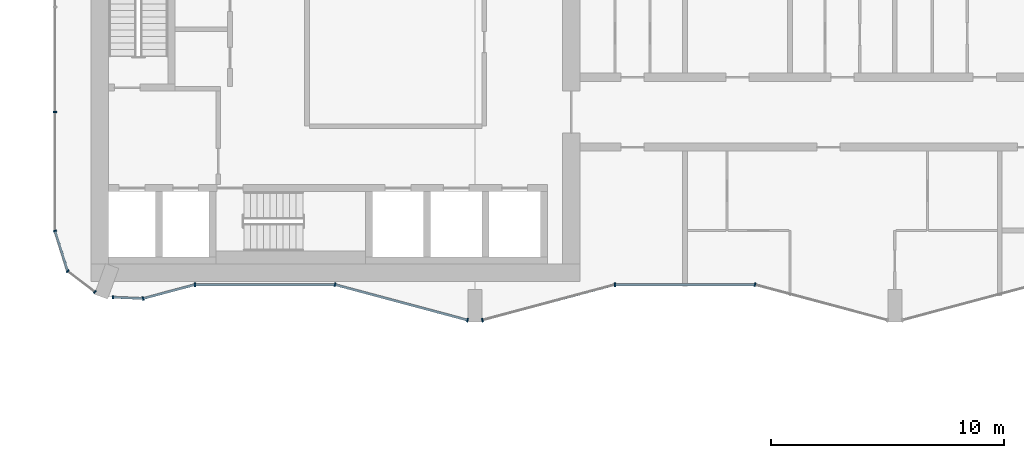
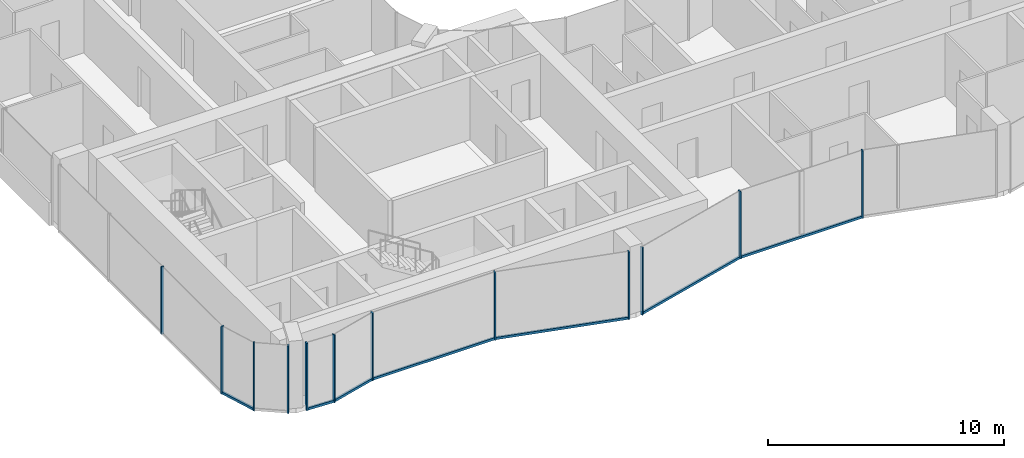
# One storey, part 2 of 24: 19 members, 10 elements without a shape of their own.
"""IFC4 building model written with IfcOpenShell, lengths in metres."""

from ifc_helpers import new_model, si_unit, direction, frame, origin, origin_2d, place, context, subcontext, project, spatial, rectangle, extrude, material, layer, layer_set, material_profile, profile_set, type_object, element, aggregate, save


model = new_model("IFC4")

# Units and contexts
model_context = context("Model", 3, precision=1e-05, world=origin(), true_north=direction((0.0, 1.0)))
body_context = subcontext(model_context, "Body", "Model", "MODEL_VIEW")
ifc_project = project(units=[si_unit("LENGTHUNIT", "METRE"), si_unit("AREAUNIT", "SQUARE_METRE"), si_unit("VOLUMEUNIT", "CUBIC_METRE"), si_unit("PLANEANGLEUNIT", "RADIAN"), si_unit("MASSUNIT", "GRAM", prefix="KILO")], contexts=[model_context])

# Site, building, storey
site_placement = place(None, origin())
site = spatial("IfcSite", under=ifc_project, at=site_placement, CompositionType="ELEMENT")
building_placement = place(site_placement, origin())
building = spatial("IfcBuilding", under=site, at=building_placement, Name="Plateau Cross Towers", CompositionType="ELEMENT")
storey_placement = place(building_placement, frame((0.0, 0.0, 44.300048828125)))
storey = spatial("IfcBuildingStorey", under=building, at=storey_placement, Name="L10", CompositionType="ELEMENT", Elevation=44.300048828125)

# Curtain wall, member
ifc_material_1 = material(Name="Dark low-iron glass", Category="glass")
ifc_layer_1 = layer(ifc_material_1, 0.239990234375)
ifc_layer_set_1 = layer_set([ifc_layer_1], Name="Dark low-iron glass")
curtain_wall_type_1 = type_object("IfcCurtainWallType", Name="Curtain wall flush unitised CW-B", PredefinedType="NOTDEFINED", material=ifc_layer_set_1)
curtain_wall_1_placement = place(storey_placement, origin())
curtain_wall_1 = element("IfcCurtainWall", 1, at=curtain_wall_1_placement, inside=storey, type_object=curtain_wall_type_1, Name="ENV/A/L10/A0_177", PredefinedType="NOTDEFINED")
ifc_material_2 = material(Name="Black anodised aluminium", Category="aluminium")
ifc_material_profile_1 = material_profile(ifc_material_2, rectangle(XDim=0.06005859375, YDim=0.139892578125, at=origin_2d()), Name="MULLION 60x140")
ifc_profile_set_1 = profile_set([ifc_material_profile_1], Name="Black anodised aluminium")
member_type_1 = type_object("IfcMemberType", Name="Mullion 60x140 flush unitised", PredefinedType="MULLION", material=ifc_profile_set_1)
member_1_placement = place(storey_placement, frame((0.0, 9.0, -0.25), z_axis=(0.0, 0.0, 1.0), x_axis=(0.0, -1.0, 0.0)))
member_1 = element("IfcMember", 2, at=member_1_placement, type_object=member_type_1, Name="CW-B mullion 3", PredefinedType="MULLION", context=body_context, shape_type="SweptSolid", body=[
    extrude(rectangle(XDim=0.06005859375, YDim=0.139892578125, at=origin_2d()), origin(), (0.0, 0.0, 1.0), 3.5),
])
aggregate(curtain_wall_1, [member_1])

curtain_wall_2_placement = place(storey_placement, origin())
curtain_wall_2 = element("IfcCurtainWall", 3, at=curtain_wall_2_placement, inside=storey, type_object=curtain_wall_type_1, Name="ENV/A/L10/A0_39", PredefinedType="NOTDEFINED")
member_2_placement = place(storey_placement, frame((0.0, 3.9091796875, -0.25), z_axis=(0.0, 0.0, 1.0), x_axis=(0.300686174994, -0.95372313811, 0.0)))
member_2 = element("IfcMember", 4, at=member_2_placement, type_object=member_type_1, Name="CW-B mullion 1", PredefinedType="MULLION", context=body_context, shape_type="SweptSolid", body=[
    extrude(rectangle(XDim=0.06005859375, YDim=0.139892578125, at=origin_2d()), origin(), (0.0, 0.0, 1.0), 3.5),
])

# Curtain wall, members
curtain_wall_3_placement = place(storey_placement, origin())
curtain_wall_3 = element("IfcCurtainWall", 5, at=curtain_wall_3_placement, inside=storey, type_object=curtain_wall_type_1, Name="ENV/A/L10/A5_22", PredefinedType="NOTDEFINED")
member_3_placement = place(storey_placement, frame((0.54248046875, 2.1884765625, -0.25), z_axis=(0.0, 0.0, 1.0), x_axis=(0.793315514529, -0.608810721331, 0.0)))
member_3 = element("IfcMember", 6, at=member_3_placement, type_object=member_type_1, Name="CW-B mullion 1", PredefinedType="MULLION", context=body_context, shape_type="SweptSolid", body=[
    extrude(rectangle(XDim=0.06005859375, YDim=0.139892578125, at=origin_2d()), origin(), (0.0, 0.0, 1.0), 3.5),
])
member_4_placement = place(storey_placement, frame((1.709716796875, 1.292724609375, -0.25), z_axis=(0.0, 0.0, 1.0), x_axis=(0.793315514529, -0.608810721331, 0.0)))
member_4 = element("IfcMember", 7, at=member_4_placement, type_object=member_type_1, Name="CW-B mullion 2", PredefinedType="MULLION", context=body_context, shape_type="SweptSolid", body=[
    extrude(rectangle(XDim=0.06005859375, YDim=0.139892578125, at=origin_2d()), origin(), (0.0, 0.0, 1.0), 3.5),
])
aggregate(curtain_wall_3, [member_3, member_4])

# Curtain wall, member
curtain_wall_4_placement = place(storey_placement, origin())
curtain_wall_4 = element("IfcCurtainWall", 8, at=curtain_wall_4_placement, inside=storey, type_object=curtain_wall_type_1, Name="ENV/A/L10/A25_11", PredefinedType="NOTDEFINED")
member_5_placement = place(storey_placement, frame((2.483642578125, 1.06787109375, -0.25), z_axis=(0.0, 0.0, 1.0), x_axis=(0.999043701491, -0.043722791671, 0.0)))
member_5 = element("IfcMember", 9, at=member_5_placement, type_object=member_type_1, Name="CW-B mullion 1", PredefinedType="MULLION", context=body_context, shape_type="SweptSolid", body=[
    extrude(rectangle(XDim=0.06005859375, YDim=0.139892578125, at=origin_2d()), origin(), (0.0, 0.0, 1.0), 3.5),
])

ifc_layer_2 = layer(ifc_material_1, 0.260009765625)
ifc_layer_set_2 = layer_set([ifc_layer_2], Name="Dark low-iron glass")
curtain_wall_type_2 = type_object("IfcCurtainWallType", Name="Curtain wall fluted unitised CW-A", PredefinedType="NOTDEFINED", material=ifc_layer_set_2)
curtain_wall_5_placement = place(storey_placement, origin())
curtain_wall_5 = element("IfcCurtainWall", 10, at=curtain_wall_5_placement, inside=storey, type_object=curtain_wall_type_2, Name="ENV/A/L10/A38_10", PredefinedType="NOTDEFINED")
ifc_material_profile_2 = material_profile(ifc_material_2, rectangle(XDim=0.06005859375, YDim=0.159912109375, at=origin_2d()), Name="MULLION 60x160")
ifc_profile_set_2 = profile_set([ifc_material_profile_2], Name="Black anodised aluminium")
member_type_2 = type_object("IfcMemberType", Name="Mullion 60x160 fluted unitised", PredefinedType="MULLION", material=ifc_profile_set_2)
member_6_placement = place(storey_placement, frame((3.776123046875, 1.01123046875, -0.25), z_axis=(0.0, 0.0, 1.0), x_axis=(0.965957962328, 0.258699081978, 0.0)))
member_6 = element("IfcMember", 11, at=member_6_placement, type_object=member_type_2, Name="CW-A mullion 1", PredefinedType="MULLION", context=body_context, shape_type="SweptSolid", body=[
    extrude(rectangle(XDim=0.06005859375, YDim=0.159912109375, at=origin_2d()), origin(), (0.0, 0.0, 1.0), 3.5),
])

curtain_wall_6_placement = place(storey_placement, origin())
curtain_wall_6 = element("IfcCurtainWall", 12, at=curtain_wall_6_placement, inside=storey, type_object=curtain_wall_type_2, Name="ENV/A/L10/A60_16", PredefinedType="NOTDEFINED")
member_7_placement = place(storey_placement, frame((6.0, 1.60693359375, -0.25), z_axis=(0.0, 0.0, 1.0), x_axis=(1.0, 0.0, 0.0)))
member_7 = element("IfcMember", 13, at=member_7_placement, type_object=member_type_2, Name="CW-A mullion 1", PredefinedType="MULLION", context=body_context, shape_type="SweptSolid", body=[
    extrude(rectangle(XDim=0.06005859375, YDim=0.159912109375, at=origin_2d()), origin(), (0.0, 0.0, 1.0), 3.5),
])

# Curtain wall, members
curtain_wall_7_placement = place(storey_placement, origin())
curtain_wall_7 = element("IfcCurtainWall", 14, at=curtain_wall_7_placement, inside=storey, type_object=curtain_wall_type_2, Name="ENV/A/L10/A120_16", PredefinedType="NOTDEFINED")
member_8_placement = place(storey_placement, frame((12.0, 1.60693359375, -0.25), z_axis=(0.0, 0.0, 1.0), x_axis=(0.965957983404, -0.258699003279, 0.0)))
member_8 = element("IfcMember", 15, at=member_8_placement, type_object=member_type_2, Name="CW-A mullion 1", PredefinedType="MULLION", context=body_context, shape_type="SweptSolid", body=[
    extrude(rectangle(XDim=0.06005859375, YDim=0.159912109375, at=origin_2d()), origin(), (0.0, 0.0, 1.0), 3.5),
])
member_9_placement = place(storey_placement, frame((17.68212890625, 0.085205078125, -0.25), z_axis=(0.0, 0.0, 1.0), x_axis=(0.965957983404, -0.258699003279, 0.0)))
member_9 = element("IfcMember", 16, at=member_9_placement, type_object=member_type_2, Name="CW-A mullion 2", PredefinedType="MULLION", context=body_context, shape_type="SweptSolid", body=[
    extrude(rectangle(XDim=0.06005859375, YDim=0.159912109375, at=origin_2d()), origin(), (0.0, 0.0, 1.0), 3.5),
])

# Curtain wall, member
curtain_wall_8_placement = place(storey_placement, origin())
curtain_wall_8 = element("IfcCurtainWall", 17, at=curtain_wall_8_placement, inside=storey, type_object=curtain_wall_type_2, Name="ENV/A/L10/A183_1", PredefinedType="NOTDEFINED")
member_10_placement = place(storey_placement, frame((18.31787109375, 0.085205078125, -0.25), z_axis=(0.0, 0.0, 1.0), x_axis=(0.965957983404, 0.258699003279, 0.0)))
member_10 = element("IfcMember", 18, at=member_10_placement, type_object=member_type_2, Name="CW-A mullion 1", PredefinedType="MULLION", context=body_context, shape_type="SweptSolid", body=[
    extrude(rectangle(XDim=0.06005859375, YDim=0.159912109375, at=origin_2d()), origin(), (0.0, 0.0, 1.0), 3.5),
])

curtain_wall_9_placement = place(storey_placement, origin())
curtain_wall_9 = element("IfcCurtainWall", 19, at=curtain_wall_9_placement, inside=storey, type_object=curtain_wall_type_2, Name="ENV/A/L10/A240_16", PredefinedType="NOTDEFINED")
member_11_placement = place(storey_placement, frame((24.0, 1.60693359375, -0.25), z_axis=(0.0, 0.0, 1.0), x_axis=(1.0, 0.0, 0.0)))
member_11 = element("IfcMember", 20, at=member_11_placement, type_object=member_type_2, Name="CW-A mullion 1", PredefinedType="MULLION", context=body_context, shape_type="SweptSolid", body=[
    extrude(rectangle(XDim=0.06005859375, YDim=0.159912109375, at=origin_2d()), origin(), (0.0, 0.0, 1.0), 3.5),
])

curtain_wall_10_placement = place(storey_placement, origin())
curtain_wall_10 = element("IfcCurtainWall", 21, at=curtain_wall_10_placement, inside=storey, type_object=curtain_wall_type_2, Name="ENV/A/L10/A300_16", PredefinedType="NOTDEFINED")
member_12_placement = place(storey_placement, frame((30.0, 1.60693359375, -0.25), z_axis=(0.0, 0.0, 1.0), x_axis=(0.965957983404, -0.258699003279, 0.0)))
member_12 = element("IfcMember", 22, at=member_12_placement, type_object=member_type_2, Name="CW-A mullion 1", PredefinedType="MULLION", context=body_context, shape_type="SweptSolid", body=[
    extrude(rectangle(XDim=0.06005859375, YDim=0.159912109375, at=origin_2d()), origin(), (0.0, 0.0, 1.0), 3.5),
])
aggregate(curtain_wall_10, [member_12])

# Member
ifc_material_profile_3 = material_profile(ifc_material_2, rectangle(XDim=0.10009765625, YDim=0.1201171875, at=origin_2d()), Name="TRANSOM 100x120")
ifc_profile_set_3 = profile_set([ifc_material_profile_3], Name="Black anodised aluminium")
member_type_3 = type_object("IfcMemberType", Name="Transom 100x120 flush unitised", PredefinedType="USERDEFINED", material=ifc_profile_set_3)
member_13_placement = place(storey_placement, frame((0.0, 3.9091796875, -0.18994140625), z_axis=(0.30067799945, -0.953725715626, 0.0), x_axis=(0.953725715626, 0.30067799945, 0.0)))
member_13 = element("IfcMember", 23, at=member_13_placement, type_object=member_type_3, Name="CW-B transom", ObjectType="TRANSOM", PredefinedType="USERDEFINED", context=body_context, shape_type="SweptSolid", body=[
    extrude(rectangle(XDim=0.10009765625, YDim=0.1201171875, at=origin_2d()), origin(), (0.0, 0.0, 1.0), 1.80419921875),
])

aggregate(curtain_wall_2, [member_2, member_13])

member_14_placement = place(storey_placement, frame((2.483642578125, 1.06787109375, -0.18994140625), z_axis=(0.999041144614, -0.043781175963, 0.0), x_axis=(0.043781175963, 0.999041144614, 0.0)))
member_14 = element("IfcMember", 24, at=member_14_placement, type_object=member_type_3, Name="CW-B transom", ObjectType="TRANSOM", PredefinedType="USERDEFINED", context=body_context, shape_type="SweptSolid", body=[
    extrude(rectangle(XDim=0.10009765625, YDim=0.1201171875, at=origin_2d()), origin(), (0.0, 0.0, 1.0), 1.293701171875),
])

aggregate(curtain_wall_4, [member_5, member_14])

ifc_material_profile_4 = material_profile(ifc_material_2, rectangle(XDim=0.10009765625, YDim=0.1201171875, at=origin_2d()), Name="TRANSOM 100x120")
ifc_profile_set_4 = profile_set([ifc_material_profile_4], Name="Black anodised aluminium")
member_type_4 = type_object("IfcMemberType", Name="Transom 100x120 fluted unitised", PredefinedType="USERDEFINED", material=ifc_profile_set_4)
member_15_placement = place(storey_placement, frame((3.776123046875, 1.01123046875, -0.18994140625), z_axis=(0.965945685136, 0.258744919501, 0.0), x_axis=(-0.258744919501, 0.965945685136, 0.0)))
member_15 = element("IfcMember", 25, at=member_15_placement, type_object=member_type_4, Name="CW-A transom", ObjectType="TRANSOM", PredefinedType="USERDEFINED", context=body_context, shape_type="SweptSolid", body=[
    extrude(rectangle(XDim=0.10009765625, YDim=0.1201171875, at=origin_2d()), origin(), (0.0, 0.0, 1.0), 2.30224609375),
])

aggregate(curtain_wall_5, [member_6, member_15])

member_16_placement = place(storey_placement, frame((6.0, 1.60693359375, -0.18994140625), z_axis=(1.0, 0.0, 0.0), x_axis=(0.0, 1.0, 0.0)))
member_16 = element("IfcMember", 26, at=member_16_placement, type_object=member_type_4, Name="CW-A transom", ObjectType="TRANSOM", PredefinedType="USERDEFINED", context=body_context, shape_type="SweptSolid", body=[
    extrude(rectangle(XDim=0.10009765625, YDim=0.1201171875, at=origin_2d()), origin(), (0.0, 0.0, 1.0), 6.0),
])

aggregate(curtain_wall_6, [member_7, member_16])

member_17_placement = place(storey_placement, frame((12.0, 1.60693359375, -0.18994140625), z_axis=(0.965959534794, -0.258693210465, 0.0), x_axis=(0.258693210465, 0.965959534794, 0.0)))
member_17 = element("IfcMember", 27, at=member_17_placement, type_object=member_type_4, Name="CW-A transom", ObjectType="TRANSOM", PredefinedType="USERDEFINED", context=body_context, shape_type="SweptSolid", body=[
    extrude(rectangle(XDim=0.10009765625, YDim=0.1201171875, at=origin_2d()), origin(), (0.0, 0.0, 1.0), 5.88232421875),
])

aggregate(curtain_wall_7, [member_8, member_9, member_17])

member_18_placement = place(storey_placement, frame((18.31787109375, 0.085205078125, -0.18994140625), z_axis=(0.965959534794, 0.258693210465, 0.0), x_axis=(-0.258693210465, 0.965959534794, 0.0)))
member_18 = element("IfcMember", 28, at=member_18_placement, type_object=member_type_4, Name="CW-A transom", ObjectType="TRANSOM", PredefinedType="USERDEFINED", context=body_context, shape_type="SweptSolid", body=[
    extrude(rectangle(XDim=0.10009765625, YDim=0.1201171875, at=origin_2d()), origin(), (0.0, 0.0, 1.0), 5.88232421875),
])

aggregate(curtain_wall_8, [member_10, member_18])

member_19_placement = place(storey_placement, frame((24.0, 1.60693359375, -0.18994140625), z_axis=(1.0, 0.0, 0.0), x_axis=(0.0, 1.0, 0.0)))
member_19 = element("IfcMember", 29, at=member_19_placement, type_object=member_type_4, Name="CW-A transom", ObjectType="TRANSOM", PredefinedType="USERDEFINED", context=body_context, shape_type="SweptSolid", body=[
    extrude(rectangle(XDim=0.10009765625, YDim=0.1201171875, at=origin_2d()), origin(), (0.0, 0.0, 1.0), 6.0),
])

aggregate(curtain_wall_9, [member_11, member_19])

save(model, "model.ifc")
